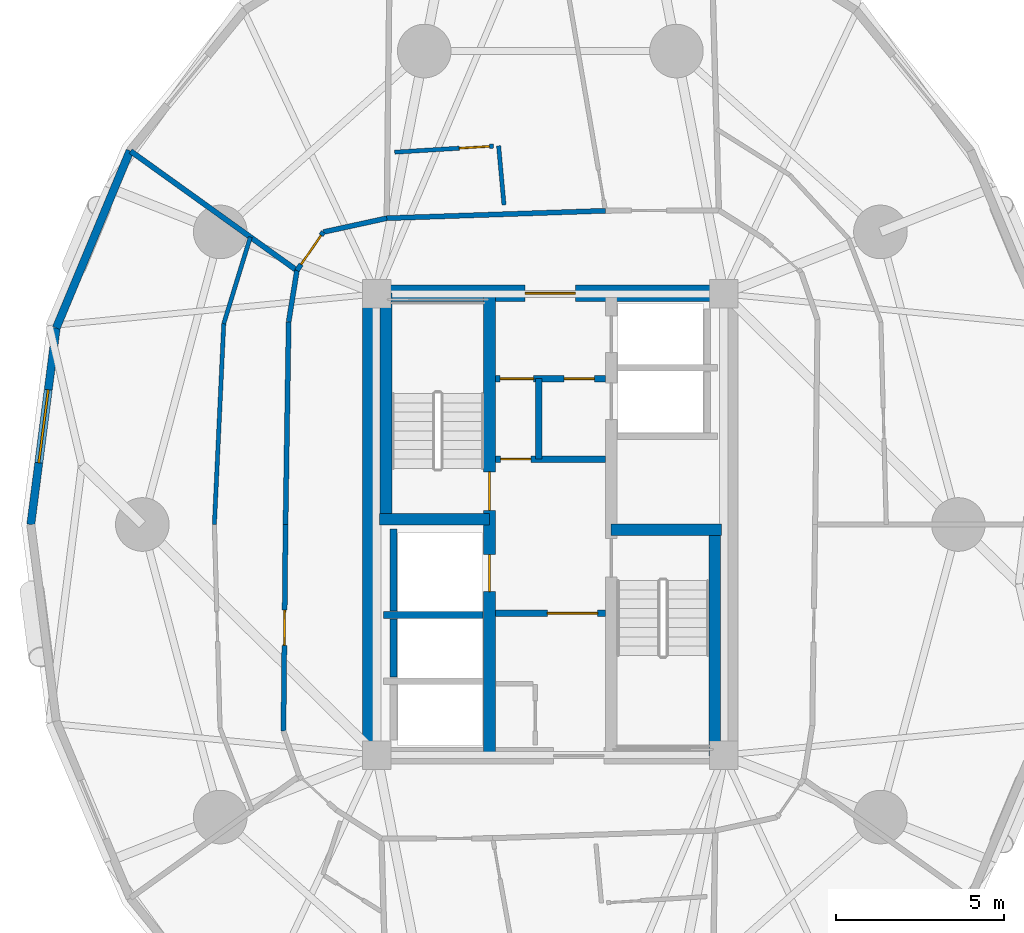
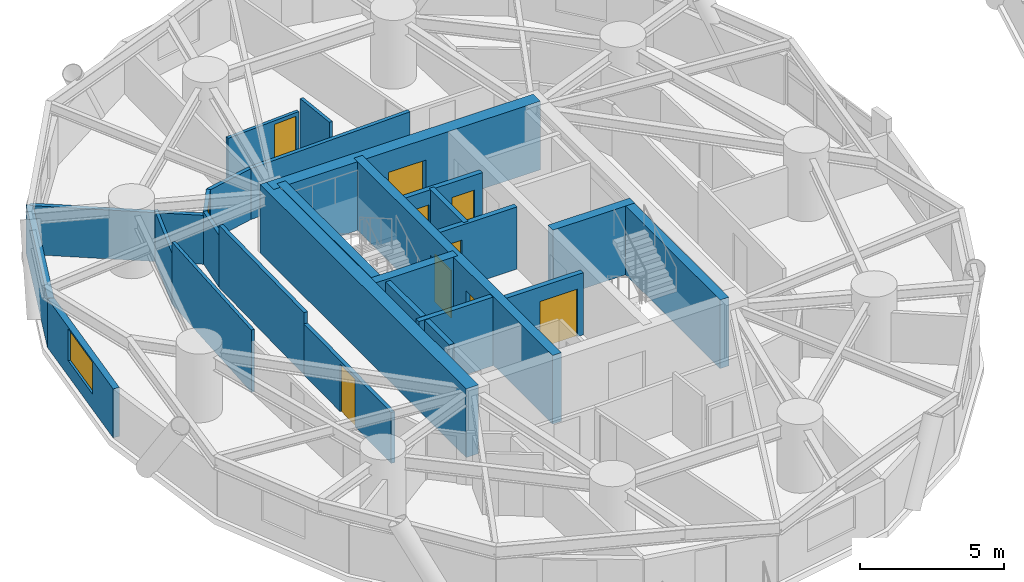
# One storey, part 10 of 19: 27 walls, 10 doors, 1 window, 11 openings.
"""IFC4 building model written with IfcOpenShell, lengths in metres."""

from ifc_helpers import new_model, si_unit, direction, frame, frame_2d, origin, place, context, subcontext, project, spatial, rectangle, extrude, source, transform, mapped, material, layer, layer_set, type_object, element, fill, save


model = new_model("IFC4")

# Units and contexts
model_context = context("Model", 3, precision=1e-05, world=origin(), true_north=direction((0.0, 1.0)))
body_context = subcontext(model_context, "Body", "Model", "MODEL_VIEW")
ifc_project = project(units=[si_unit("LENGTHUNIT", "METRE"), si_unit("AREAUNIT", "SQUARE_METRE"), si_unit("VOLUMEUNIT", "CUBIC_METRE"), si_unit("PLANEANGLEUNIT", "RADIAN"), si_unit("MASSUNIT", "GRAM", prefix="KILO")], contexts=[model_context])

# Site, building, storey
site_placement = place(None, origin())
site = spatial("IfcSite", under=ifc_project, at=site_placement, CompositionType="ELEMENT")
building_placement = place(site_placement, origin())
building = spatial("IfcBuilding", under=site, at=building_placement, Name="Cununo Teusaquillo Station Towers", CompositionType="ELEMENT")
storey_placement = place(building_placement, frame((0.0, 0.0, 42.3701171875)))
storey = spatial("IfcBuildingStorey", under=building, at=storey_placement, Name="L12", CompositionType="ELEMENT", Elevation=42.3701171875)

# Walls
ifc_material_1 = material(Name="Concrete C50/60", Category="concrete")
ifc_layer_1 = layer(ifc_material_1, 0.199951171875)
ifc_layer_set_1 = layer_set([ifc_layer_1], Name="Concrete C50/60")
wall_type_1 = type_object("IfcWallType", Name="WL-CORE-200", PredefinedType="SHEAR", material=ifc_layer_set_1)
wall_1_placement = place(storey_placement, frame((11.52001953125, 21.800048828125, 0.0), z_axis=(0.0, 0.0, 1.0), x_axis=(1.0, 0.0, 0.0)))
element("IfcWall", 1, at=wall_1_placement, inside=storey, type_object=wall_type_1, Name="L12 Tower A Firefighting Lift Shaft South Shear Wall", PredefinedType="SHEAR", context=body_context, shape_type="SweptSolid", body=[
    extrude(rectangle(XDim=2.969970703125, YDim=0.199951171875, at=frame_2d((1.48486328125, 0.0))), origin(), (0.0, 0.0, 1.0), 2.909912109375),
])
wall_2_placement = place(storey_placement, frame((11.820068359375, 21.919921875, 0.0), z_axis=(0.0, 0.0, 1.0), x_axis=(0.0, 1.0, 0.0)))
element("IfcWall", 2, at=wall_2_placement, inside=storey, type_object=wall_type_1, Name="L12 Tower A Firefighting Lift Shaft Rear Shear Wall", PredefinedType="SHEAR", context=body_context, shape_type="SweptSolid", body=[
    extrude(rectangle(XDim=2.440185546875, YDim=0.199951171875, at=frame_2d((1.22021484375, 0.0))), origin(), (0.0, 0.0, 1.0), 2.909912109375),
])
wall_3_placement = place(storey_placement, frame((11.820068359375, 19.945068359375, 0.0), z_axis=(0.0, 0.0, 1.0), x_axis=(0.0, 1.0, 0.0)))
element("IfcWall", 3, at=wall_3_placement, inside=storey, type_object=wall_type_1, Name="L12 Tower A High-Rise Lift 2 Shaft Rear Shear Wall", PredefinedType="SHEAR", context=body_context, shape_type="SweptSolid", body=[
    extrude(rectangle(XDim=1.73486328125, YDim=0.199951171875, at=frame_2d((0.867431640625, 0.0))), origin(), (0.0, 0.0, 1.0), 2.909912109375),
])

# Wall, openings, doors
ifc_material_2 = material(Name="Concrete C50/60", Category="concrete")
ifc_layer_2 = layer(ifc_material_2, 0.35009765625)
ifc_layer_set_2 = layer_set([ifc_layer_2], Name="Concrete C50/60")
wall_type_2 = type_object("IfcWallType", Name="WL-CORE-350", PredefinedType="SHEAR", material=ifc_layer_set_2)
wall_4_placement = place(storey_placement, frame((14.68505859375, 17.60009765625, 0.0), z_axis=(0.0, 0.0, 1.0), x_axis=(0.0, 1.0, 0.0)))
wall_4 = element("IfcWall", 4, at=wall_4_placement, inside=storey, type_object=wall_type_2, Name="L12 Tower A Core Shear Wall IW", PredefinedType="SHEAR", context=body_context, shape_type="SweptSolid", body=[
    extrude(rectangle(XDim=13.7998046875, YDim=0.35009765625, at=frame_2d((6.89990234375, 0.0))), origin(), (0.0, 0.0, 1.0), 2.909912109375),
])
shared_shape_1 = source(origin(), body_context, "Body", "SweptSolid", [
    extrude(rectangle(XDim=1.10009765625, YDim=2.014892578125, at=frame_2d((0.550048828125, 1.00732421875))), frame((0.0, 0.18505859375, 0.0), z_axis=(0.0, -1.0, 0.0), x_axis=(1.0, 0.0, 0.0)), (0.0, 0.0, 1.0), 0.3701171875),
])
opening_1_placement = place(wall_4_placement, frame((4.89990234375, 0.0, 0.0)))
opening_1 = element("IfcOpeningElement", 5, at=opening_1_placement, cuts=wall_4, Name="Opening LD-01", PredefinedType="OPENING", context=body_context, shape_type="MappedRepresentation", body=[
    mapped(shared_shape_1, transform((0.0, 0.0, 0.0), x_axis=(1.0, 0.0, 0.0), y_axis=(0.0, 1.0, 0.0), z_axis=(0.0, 0.0, 1.0), scale=1.0)),
])
shared_shape_2 = source(origin(), body_context, "Body", "SweptSolid", [
    extrude(rectangle(XDim=1.14990234375, YDim=2.02001953125, at=frame_2d((0.574951171875, 1.010009765625))), frame((0.0, 0.18505859375, 0.0), z_axis=(0.0, -1.0, 0.0), x_axis=(1.0, 0.0, 0.0)), (0.0, 0.0, 1.0), 0.3701171875),
])
opening_2_placement = place(wall_4_placement, frame((7.320068359375, 0.0, 0.0)))
opening_2 = element("IfcOpeningElement", 6, at=opening_2_placement, cuts=wall_4, Name="Opening D-ST1", PredefinedType="OPENING", context=body_context, shape_type="MappedRepresentation", body=[
    mapped(shared_shape_2, transform((0.0, 0.0, 0.0), x_axis=(1.0, 0.0, 0.0), y_axis=(0.0, 1.0, 0.0), z_axis=(0.0, 0.0, 1.0), scale=1.0)),
])
ifc_material_3 = material(Name="Galvanised fire-rated hollow steel door assembly", Category="steel")
door_type_1 = type_object("IfcDoorType", Name="DR-LIFT-1100", OperationType="SLIDING_TO_LEFT", PredefinedType="DOOR", material=ifc_material_3)
shared_shape_3 = source(origin(), body_context, "Body", "SweptSolid", [
    extrude(rectangle(XDim=1.10009765625, YDim=2.014892578125, at=frame_2d((0.550048828125, 1.00732421875))), frame((0.0, 0.02490234375, 0.0), z_axis=(0.0, -1.0, 0.0), x_axis=(1.0, 0.0, 0.0)), (0.0, 0.0, 1.0), 0.050048828125),
])
door_1_placement = place(opening_1_placement, origin())
door_1 = element("IfcDoor", 7, at=door_1_placement, inside=storey, type_object=door_type_1, Name="L12 Lift FL-T1 Sliding Landing Door", OperationType="SLIDING_TO_LEFT", OverallHeight=2.014892578125, OverallWidth=1.10009765625, PredefinedType="DOOR", context=body_context, shape_type="MappedRepresentation", body=[
    mapped(shared_shape_3, transform((0.0, 0.0, 0.0), x_axis=(1.0, 0.0, 0.0), y_axis=(0.0, 1.0, 0.0), z_axis=(0.0, 0.0, 1.0), scale=1.0)),
])
fill(opening_1, door_1)
ifc_material_4 = material(Name="Galvanised fire-rated hollow steel door assembly", Category="steel")
door_type_2 = type_object("IfcDoorType", Name="DR-STAIR-1150", OperationType="NOTDEFINED", PredefinedType="DOOR", material=ifc_material_4)
shared_shape_4 = source(origin(), body_context, "Body", "SweptSolid", [
    extrude(rectangle(XDim=1.14990234375, YDim=2.02001953125, at=frame_2d((0.574951171875, 1.010009765625))), frame((0.0, 0.02490234375, 0.0), z_axis=(0.0, -1.0, 0.0), x_axis=(1.0, 0.0, 0.0)), (0.0, 0.0, 1.0), 0.050048828125),
])
door_2_placement = place(opening_2_placement, origin())
door_2 = element("IfcDoor", 8, at=door_2_placement, inside=storey, type_object=door_type_2, Name="L12 Tower A Exit Stair 1 Fire Door", OperationType="SINGLE_SWING_LEFT", OverallHeight=2.02001953125, OverallWidth=1.14990234375, PredefinedType="DOOR", context=body_context, shape_type="MappedRepresentation", body=[
    mapped(shared_shape_4, transform((0.0, 0.0, 0.0), x_axis=(1.0, 0.0, 0.0), y_axis=(0.0, 1.0, 0.0), z_axis=(0.0, 0.0, 1.0), scale=1.0)),
])
fill(opening_2, door_2)

# Walls
wall_5_placement = place(storey_placement, frame((11.594970703125, 24.655029296875, 0.0), z_axis=(0.0, 0.0, 1.0), x_axis=(0.0, 1.0, 0.0)))
element("IfcWall", 9, at=wall_5_placement, inside=storey, type_object=wall_type_2, Name="L12 Tower A Core Shear Wall ST1W", PredefinedType="SHEAR", context=body_context, shape_type="SweptSolid", body=[
    extrude(rectangle(XDim=6.744873046875, YDim=0.35009765625, at=frame_2d((3.37255859375, 0.0))), origin(), (0.0, 0.0, 1.0), 2.909912109375),
])
wall_6_placement = place(storey_placement, frame((11.39990234375, 24.655029296875, 0.0), z_axis=(0.0, 0.0, 1.0), x_axis=(1.0, 0.0, 0.0)))
element("IfcWall", 10, at=wall_6_placement, inside=storey, type_object=wall_type_2, Name="L12 Tower A Core Shear Wall ST1S", PredefinedType="SHEAR", context=body_context, shape_type="SweptSolid", body=[
    extrude(rectangle(XDim=3.28515625, YDim=0.35009765625, at=frame_2d((1.642578125, 0.0))), origin(), (0.0, 0.0, 1.0), 2.909912109375),
])
wall_7_placement = place(storey_placement, frame((21.405029296875, 17.60009765625, 0.0), z_axis=(0.0, 0.0, 1.0), x_axis=(0.0, 1.0, 0.0)))
element("IfcWall", 11, at=wall_7_placement, inside=storey, type_object=wall_type_2, Name="L12 Tower A Core Shear Wall ST2E", PredefinedType="SHEAR", context=body_context, shape_type="SweptSolid", body=[
    extrude(rectangle(XDim=6.744873046875, YDim=0.35009765625, at=frame_2d((3.37255859375, 0.0))), origin(), (0.0, 0.0, 1.0), 2.909912109375),
])
wall_8_placement = place(storey_placement, frame((18.31494140625, 24.344970703125, 0.0), z_axis=(0.0, 0.0, 1.0), x_axis=(1.0, 0.0, 0.0)))
element("IfcWall", 12, at=wall_8_placement, inside=storey, type_object=wall_type_2, Name="L12 Tower A Core Shear Wall ST2N", PredefinedType="SHEAR", context=body_context, shape_type="SweptSolid", body=[
    extrude(rectangle(XDim=3.28515625, YDim=0.35009765625, at=frame_2d((1.642578125, 0.0))), origin(), (0.0, 0.0, 1.0), 2.909912109375),
])
ifc_material_5 = material(Name="Concrete C60/75", Category="concrete")
ifc_layer_3 = layer(ifc_material_5, 0.5)
ifc_layer_set_3 = layer_set([ifc_layer_3], Name="Concrete C60/75")
wall_type_3 = type_object("IfcWallType", Name="WL-CORE-500", PredefinedType="SHEAR", material=ifc_layer_set_3)
wall_9_placement = place(storey_placement, frame((11.14990234375, 17.35009765625, 0.0), z_axis=(0.0, 0.0, 1.0), x_axis=(0.0, 1.0, 0.0)))
element("IfcWall", 13, at=wall_9_placement, inside=storey, type_object=wall_type_3, Name="L12 Tower A Core Shear Wall W", PredefinedType="SHEAR", context=body_context, shape_type="SweptSolid", body=[
    extrude(rectangle(XDim=14.2998046875, YDim=0.5, at=frame_2d((7.14990234375, 0.0))), origin(), (0.0, 0.0, 1.0), 2.909912109375),
])

# Wall, opening, door
wall_10_placement = place(storey_placement, frame((11.14990234375, 31.39990234375, 0.0), z_axis=(0.0, 0.0, 1.0), x_axis=(1.0, 0.0, 0.0)))
wall_10 = element("IfcWall", 14, at=wall_10_placement, inside=storey, type_object=wall_type_3, Name="L12 Tower A Core Shear Wall N", PredefinedType="SHEAR", context=body_context, shape_type="SweptSolid", body=[
    extrude(rectangle(XDim=10.7001953125, YDim=0.5, at=frame_2d((5.35009765625, 0.0))), origin(), (0.0, 0.0, 1.0), 2.909912109375),
])
shared_shape_5 = source(origin(), body_context, "Body", "SweptSolid", [
    extrude(rectangle(XDim=1.5, YDim=2.02001953125, at=frame_2d((0.75, 1.010009765625))), frame((0.0, 0.260009765625, 0.0), z_axis=(0.0, -1.0, 0.0), x_axis=(1.0, 0.0, 0.0)), (0.0, 0.0, 1.0), 0.52001953125),
])
opening_3_placement = place(wall_10_placement, frame((4.60009765625, 0.0, 0.0)))
opening_3 = element("IfcOpeningElement", 15, at=opening_3_placement, cuts=wall_10, Name="Opening D-LB1", PredefinedType="OPENING", context=body_context, shape_type="MappedRepresentation", body=[
    mapped(shared_shape_5, transform((0.0, 0.0, 0.0), x_axis=(1.0, 0.0, 0.0), y_axis=(0.0, 1.0, 0.0), z_axis=(0.0, 0.0, 1.0), scale=1.0)),
])
ifc_material_6 = material(Name="Galvanised fire-rated hollow steel door assembly", Category="steel")
door_type_3 = type_object("IfcDoorType", Name="DR-LOBBY-1500", OperationType="DOUBLE_DOOR_SINGLE_SWING", PredefinedType="DOOR", material=ifc_material_6)
shared_shape_6 = source(origin(), body_context, "Body", "SweptSolid", [
    extrude(rectangle(XDim=1.5, YDim=2.02001953125, at=frame_2d((0.75, 1.010009765625))), frame((0.0, 0.02490234375, 0.0), z_axis=(0.0, -1.0, 0.0), x_axis=(1.0, 0.0, 0.0)), (0.0, 0.0, 1.0), 0.050048828125),
])
door_3_placement = place(opening_3_placement, origin())
door_3 = element("IfcDoor", 16, at=door_3_placement, inside=storey, type_object=door_type_3, Name="L12 Tower A North Core Lift Lobby Door", OperationType="DOUBLE_DOOR_SINGLE_SWING", OverallHeight=2.02001953125, OverallWidth=1.5, PredefinedType="DOOR", context=body_context, shape_type="MappedRepresentation", body=[
    mapped(shared_shape_6, transform((0.0, 0.0, 0.0), x_axis=(1.0, 0.0, 0.0), y_axis=(0.0, 1.0, 0.0), z_axis=(0.0, 0.0, 1.0), scale=1.0)),
])
fill(opening_3, door_3)

# Wall
ifc_material_7 = material(Name="Precast concrete C40/50", Category="concrete")
ifc_layer_4 = layer(ifc_material_7, 0.239990234375)
ifc_layer_set_4 = layer_set([ifc_layer_4], Name="Precast concrete C40/50")
wall_type_4 = type_object("IfcWallType", Name="WL-EXT-240", PredefinedType="SOLIDWALL", material=ifc_layer_set_4)
wall_11_placement = place(storey_placement, frame((1.759521484375, 30.362060546875, 0.0), z_axis=(0.0, 0.0, 1.0), x_axis=(0.38430970593, 0.923204229804, 0.0)))
element("IfcWall", 17, at=wall_11_placement, inside=storey, type_object=wall_type_4, Name="L12 Tower A Exterior Facade Wall C08", PredefinedType="SOLIDWALL", context=body_context, shape_type="SweptSolid", body=[
    extrude(rectangle(XDim=5.728271484375, YDim=0.239990234375, at=frame_2d((2.8642578125, 0.0))), origin(), (0.0, 0.0, 1.0), 2.072998046875),
])

# Wall, opening, window
wall_12_placement = place(storey_placement, frame((1.0009765625, 24.5, 0.0), z_axis=(0.0, 0.0, 1.0), x_axis=(0.128329107357, 0.991731637191, 0.0)))
wall_12 = element("IfcWall", 18, at=wall_12_placement, inside=storey, type_object=wall_type_4, Name="L12 Tower A Exterior Facade Wall C09", PredefinedType="SOLIDWALL", context=body_context, shape_type="SweptSolid", body=[
    extrude(rectangle(XDim=5.910888671875, YDim=0.239990234375, at=frame_2d((2.95556640625, 0.0))), origin(), (0.0, 0.0, 1.0), 2.072998046875),
])
shared_shape_7 = source(origin(), body_context, "Body", "SweptSolid", [
    extrude(rectangle(XDim=2.199951171875, YDim=1.35009765625, at=frame_2d((1.10009765625, 0.675048828125))), frame((0.0, 0.1298828125, 0.0), z_axis=(0.0, -1.0, 0.0), x_axis=(1.0, 0.0, 0.0)), (0.0, 0.0, 1.0), 0.260009765625),
])
opening_4_placement = place(wall_12_placement, frame((1.85498046875, 0.0, 0.64990234375)))
opening_4 = element("IfcOpeningElement", 19, at=opening_4_placement, cuts=wall_12, Name="Opening WN-01", PredefinedType="OPENING", context=body_context, shape_type="MappedRepresentation", body=[
    mapped(shared_shape_7, transform((0.0, 0.0, 0.0), x_axis=(1.0, 0.0, 0.0), y_axis=(0.0, 1.0, 0.0), z_axis=(0.0, 0.0, 1.0), scale=1.0)),
])
ifc_material_8 = material(Name="Ceramic-fritted dark low-E double glazing", Category="glass")
window_type = type_object("IfcWindowType", Name="WIN-FRIT-2200", PartitioningType="DOUBLE_PANEL_VERTICAL", PredefinedType="WINDOW", material=ifc_material_8)
shared_shape_8 = source(origin(), body_context, "Body", "SweptSolid", [
    extrude(rectangle(XDim=2.199951171875, YDim=1.35009765625, at=frame_2d((1.10009765625, 0.675048828125))), frame((0.0, 0.030029296875, 0.0), z_axis=(0.0, -1.0, 0.0), x_axis=(1.0, 0.0, 0.0)), (0.0, 0.0, 1.0), 0.06005859375),
])
window_placement = place(opening_4_placement, origin())
window = element("IfcWindow", 20, at=window_placement, inside=storey, type_object=window_type, Name="L12 Tower A Facade Window C09", OverallHeight=1.35009765625, OverallWidth=2.199951171875, PartitioningType="DOUBLE_PANEL_VERTICAL", PredefinedType="WINDOW", context=body_context, shape_type="MappedRepresentation", body=[
    mapped(shared_shape_8, transform((0.0, 0.0, 0.0), x_axis=(1.0, 0.0, 0.0), y_axis=(0.0, 1.0, 0.0), z_axis=(0.0, 0.0, 1.0), scale=1.0)),
])
fill(opening_4, window)

# Wall
ifc_material_9 = material(Name="Fire-rated gypsum plasterboard partition assembly", Category="gypsum")
ifc_layer_5 = layer(ifc_material_9, 0.125)
ifc_layer_set_5 = layer_set([ifc_layer_5], Name="Fire-rated gypsum plasterboard partition assembly")
wall_type_5 = type_object("IfcWallType", Name="WL-PART-125", PredefinedType="PARTITIONING", material=ifc_layer_set_5)
wall_13_placement = place(storey_placement, frame((15.116943359375, 34.03515625, 0.0), z_axis=(0.0, 0.0, 1.0), x_axis=(-0.090498430303, 0.995896598103, 0.0)))
element("IfcWall", 21, at=wall_13_placement, inside=storey, type_object=wall_type_5, Name="L12 Tower A S02 En-suite Side Wall", PredefinedType="PARTITIONING", context=body_context, shape_type="SweptSolid", body=[
    extrude(rectangle(XDim=1.769775390625, YDim=0.125, at=frame_2d((0.884765625, 0.0))), origin(), (0.0, 0.0, 1.0), 2.634765625),
])

# Wall, opening, door
wall_14_placement = place(storey_placement, frame((14.80322265625, 35.7880859375, 0.0), z_axis=(0.0, 0.0, 1.0), x_axis=(-0.998116078946, -0.06135383403, 0.0)))
wall_14 = element("IfcWall", 22, at=wall_14_placement, inside=storey, type_object=wall_type_5, Name="L12 Tower A S02 En-suite Back Wall", PredefinedType="PARTITIONING", context=body_context, shape_type="SweptSolid", body=[
    extrude(rectangle(XDim=2.95263671875, YDim=0.125, at=frame_2d((1.476318359375, 0.0))), origin(), (0.0, 0.0, 1.0), 2.158935546875),
])
shared_shape_9 = source(origin(), body_context, "Body", "SweptSolid", [
    extrude(rectangle(XDim=0.89990234375, YDim=2.0048828125, at=frame_2d((0.449951171875, 1.00244140625))), frame((0.0, 0.072509765625, 0.0), z_axis=(0.0, -1.0, 0.0), x_axis=(1.0, 0.0, 0.0)), (0.0, 0.0, 1.0), 0.14501953125),
])
opening_5_placement = place(wall_14_placement, frame((0.1201171875, 0.0, 0.0)))
opening_5 = element("IfcOpeningElement", 23, at=opening_5_placement, cuts=wall_14, Name="Opening D-IN1", PredefinedType="OPENING", context=body_context, shape_type="MappedRepresentation", body=[
    mapped(shared_shape_9, transform((0.0, 0.0, 0.0), x_axis=(1.0, 0.0, 0.0), y_axis=(0.0, 1.0, 0.0), z_axis=(0.0, 0.0, 1.0), scale=1.0)),
])
ifc_material_10 = material(Name="Acoustic solid-core hardwood leaf assembly", Category="wood")
door_type_4 = type_object("IfcDoorType", Name="DR-INT-900", OperationType="NOTDEFINED", PredefinedType="DOOR", material=ifc_material_10)
shared_shape_10 = source(origin(), body_context, "Body", "SweptSolid", [
    extrude(rectangle(XDim=0.89990234375, YDim=2.0048828125, at=frame_2d((0.449951171875, 1.00244140625))), frame((0.0, 0.02490234375, 0.0), z_axis=(0.0, -1.0, 0.0), x_axis=(1.0, 0.0, 0.0)), (0.0, 0.0, 1.0), 0.050048828125),
])
door_4_placement = place(opening_5_placement, origin())
door_4 = element("IfcDoor", 24, at=door_4_placement, inside=storey, type_object=door_type_4, Name="L12 Tower A S02 En-suite Bathroom Door", OperationType="SINGLE_SWING_LEFT", OverallHeight=2.0048828125, OverallWidth=0.89990234375, PredefinedType="DOOR", context=body_context, shape_type="MappedRepresentation", body=[
    mapped(shared_shape_10, transform((0.0, 0.0, 0.0), x_axis=(1.0, 0.0, 0.0), y_axis=(0.0, 1.0, 0.0), z_axis=(0.0, 0.0, 1.0), scale=1.0)),
])
fill(opening_5, door_4)

# Walls
wall_15_placement = place(storey_placement, frame((7.55029296875, 33.0751953125, 0.0), z_axis=(0.0, 0.0, 1.0), x_axis=(-0.29356532185, -0.955939015736, 0.0)))
element("IfcWall", 25, at=wall_15_placement, inside=storey, type_object=wall_type_5, Name="L12 Tower A Hotel Hydrotherapy Wellness Spa Concentric Partition Wall C08", PredefinedType="PARTITIONING", context=body_context, shape_type="SweptSolid", body=[
    extrude(rectangle(XDim=2.702880859375, YDim=0.125, at=frame_2d((1.3515625, 0.0))), origin(), (0.0, 0.0, 1.0), 2.158935546875),
])
wall_16_placement = place(storey_placement, frame((6.7568359375, 30.491455078125, 0.0), z_axis=(0.0, 0.0, 1.0), x_axis=(-0.046524684881, -0.998917140556, 0.0)))
element("IfcWall", 26, at=wall_16_placement, inside=storey, type_object=wall_type_5, Name="L12 Tower A Hotel Hydrotherapy Wellness Spa Concentric Partition Wall C09", PredefinedType="PARTITIONING", context=body_context, shape_type="SweptSolid", body=[
    extrude(rectangle(XDim=5.998046875, YDim=0.125, at=frame_2d((2.9990234375, 0.0))), origin(), (0.0, 0.0, 1.0), 2.634765625),
])
ifc_material_11 = material(Name="Fire-rated gypsum plasterboard partition assembly", Category="gypsum")
ifc_layer_6 = layer(ifc_material_11, 0.14990234375)
ifc_layer_set_6 = layer_set([ifc_layer_6], Name="Fire-rated gypsum plasterboard partition assembly")
wall_type_6 = type_object("IfcWallType", Name="WL-PART-150", PredefinedType="PARTITIONING", material=ifc_layer_set_6)
wall_17_placement = place(storey_placement, frame((18.142822265625, 33.859619140625, 0.0), z_axis=(0.0, 0.0, 1.0), x_axis=(-0.999419208319, -0.034077060363, 0.0)))
element("IfcWall", 27, at=wall_17_placement, inside=storey, type_object=wall_type_6, Name="L12 Tower A Corridor Ring Wall C05", PredefinedType="PARTITIONING", context=body_context, shape_type="SweptSolid", body=[
    extrude(rectangle(XDim=6.52685546875, YDim=0.14990234375, at=frame_2d((3.263427734375, 0.0))), origin(), (0.0, 0.0, 1.0), 2.158935546875),
])
wall_18_placement = place(storey_placement, frame((11.619873046875, 33.63720703125, 0.0), z_axis=(0.0, 0.0, 1.0), x_axis=(-0.97702579435, -0.213121085711, 0.0)))
element("IfcWall", 28, at=wall_18_placement, inside=storey, type_object=wall_type_6, Name="L12 Tower A Corridor Ring Wall C06", PredefinedType="PARTITIONING", context=body_context, shape_type="SweptSolid", body=[
    extrude(rectangle(XDim=1.934814453125, YDim=0.14990234375, at=frame_2d((0.96728515625, 0.0))), origin(), (0.0, 0.0, 1.0), 2.158935546875),
])

# Wall, opening, door
wall_19_placement = place(storey_placement, frame((9.7294921875, 33.224853515625, 0.0), z_axis=(0.0, 0.0, 1.0), x_axis=(-0.567183649484, -0.82359134755, 0.0)))
wall_19 = element("IfcWall", 29, at=wall_19_placement, inside=storey, type_object=wall_type_6, Name="L12 Tower A Corridor Ring Wall C07", PredefinedType="PARTITIONING", context=body_context, shape_type="SweptSolid", body=[
    extrude(rectangle(XDim=1.39208984375, YDim=0.14990234375, at=frame_2d((0.696044921875, 0.0))), origin(), (0.0, 0.0, 1.0), 2.158935546875),
])
shared_shape_11 = source(origin(), body_context, "Body", "SweptSolid", [
    extrude(rectangle(XDim=1.050048828125, YDim=2.014892578125, at=frame_2d((0.52490234375, 1.00732421875))), frame((0.0, 0.0849609375, 0.0), z_axis=(0.0, -1.0, 0.0), x_axis=(1.0, 0.0, 0.0)), (0.0, 0.0, 1.0), 0.169921875),
])
opening_6_placement = place(wall_19_placement, frame((0.1201171875, 0.0, 0.0)))
opening_6 = element("IfcOpeningElement", 30, at=opening_6_placement, cuts=wall_19, Name="Opening D-SU1", PredefinedType="OPENING", context=body_context, shape_type="MappedRepresentation", body=[
    mapped(shared_shape_11, transform((0.0, 0.0, 0.0), x_axis=(1.0, 0.0, 0.0), y_axis=(0.0, 1.0, 0.0), z_axis=(0.0, 0.0, 1.0), scale=1.0)),
])
ifc_material_12 = material(Name="Acoustic solid-core hardwood leaf assembly", Category="wood")
door_type_5 = type_object("IfcDoorType", Name="DR-SUITE-1050", OperationType="NOTDEFINED", PredefinedType="DOOR", material=ifc_material_12)
shared_shape_12 = source(origin(), body_context, "Body", "SweptSolid", [
    extrude(rectangle(XDim=1.050048828125, YDim=2.014892578125, at=frame_2d((0.52490234375, 1.00732421875))), frame((0.0, 0.02490234375, 0.0), z_axis=(0.0, -1.0, 0.0), x_axis=(1.0, 0.0, 0.0)), (0.0, 0.0, 1.0), 0.050048828125),
])
door_5_placement = place(opening_6_placement, origin())
door_5 = element("IfcDoor", 31, at=door_5_placement, inside=storey, type_object=door_type_5, Name="L12 Tower A Hotel Boardroom Salon Entrance Door", OperationType="SINGLE_SWING_RIGHT", OverallHeight=2.014892578125, OverallWidth=1.050048828125, PredefinedType="DOOR", context=body_context, shape_type="MappedRepresentation", body=[
    mapped(shared_shape_12, transform((0.0, 0.0, 0.0), x_axis=(1.0, 0.0, 0.0), y_axis=(0.0, 1.0, 0.0), z_axis=(0.0, 0.0, 1.0), scale=1.0)),
])
fill(opening_6, door_5)

# Walls
wall_20_placement = place(storey_placement, frame((8.93994140625, 32.078369140625, 0.0), z_axis=(0.0, 0.0, 1.0), x_axis=(-0.159148467753, -0.98725466077, 0.0)))
element("IfcWall", 32, at=wall_20_placement, inside=storey, type_object=wall_type_6, Name="L12 Tower A Corridor Ring Wall C08", PredefinedType="PARTITIONING", context=body_context, shape_type="SweptSolid", body=[
    extrude(rectangle(XDim=1.553955078125, YDim=0.14990234375, at=frame_2d((0.77685546875, 0.0))), origin(), (0.0, 0.0, 1.0), 2.204833984375),
])
wall_21_placement = place(storey_placement, frame((8.692626953125, 30.544189453125, 0.0), z_axis=(0.0, 0.0, 1.0), x_axis=(-0.015307007986, -0.99988284089, 0.0)))
element("IfcWall", 33, at=wall_21_placement, inside=storey, type_object=wall_type_6, Name="L12 Tower A Corridor Ring Wall C09", PredefinedType="PARTITIONING", context=body_context, shape_type="SweptSolid", body=[
    extrude(rectangle(XDim=6.044921875, YDim=0.14990234375, at=frame_2d((3.0224609375, 0.0))), origin(), (0.0, 0.0, 1.0), 2.634765625),
])

# Wall, opening, door
wall_22_placement = place(storey_placement, frame((8.60009765625, 24.5, 0.0), z_axis=(0.0, 0.0, 1.0), x_axis=(-0.010023665349, -0.999949761805, 0.0)))
wall_22 = element("IfcWall", 34, at=wall_22_placement, inside=storey, type_object=wall_type_6, Name="L12 Tower A Corridor Ring Wall C10", PredefinedType="PARTITIONING", context=body_context, shape_type="SweptSolid", body=[
    extrude(rectangle(XDim=6.162109375, YDim=0.14990234375, at=frame_2d((3.0810546875, 0.0))), origin(), (0.0, 0.0, 1.0), 2.158935546875),
])
opening_7_placement = place(wall_22_placement, frame((2.55615234375, 0.0, 0.0)))
opening_7 = element("IfcOpeningElement", 35, at=opening_7_placement, cuts=wall_22, Name="Opening D-SU1", PredefinedType="OPENING", context=body_context, shape_type="MappedRepresentation", body=[
    mapped(shared_shape_11, transform((0.0, 0.0, 0.0), x_axis=(1.0, 0.0, 0.0), y_axis=(0.0, 1.0, 0.0), z_axis=(0.0, 0.0, 1.0), scale=1.0)),
])
door_6_placement = place(opening_7_placement, origin())
door_6 = element("IfcDoor", 36, at=door_6_placement, inside=storey, type_object=door_type_5, Name="L12 Tower A Hotel Hydrotherapy Wellness Spa Entrance Door", OperationType="SINGLE_SWING_LEFT", OverallHeight=2.014892578125, OverallWidth=1.050048828125, PredefinedType="DOOR", context=body_context, shape_type="MappedRepresentation", body=[
    mapped(shared_shape_12, transform((0.0, 0.0, 0.0), x_axis=(1.0, 0.0, 0.0), y_axis=(0.0, 1.0, 0.0), z_axis=(0.0, 0.0, 1.0), scale=1.0)),
])
fill(opening_7, door_6)

# Wall
ifc_material_13 = material(Name="Fire-rated gypsum plasterboard partition assembly", Category="gypsum")
ifc_layer_7 = layer(ifc_material_13, 0.159912109375)
ifc_layer_set_7 = layer_set([ifc_layer_7], Name="Fire-rated gypsum plasterboard partition assembly")
wall_type_7 = type_object("IfcWallType", Name="WL-PART-160", PredefinedType="PARTITIONING", material=ifc_layer_set_7)
wall_23_placement = place(storey_placement, frame((8.93994140625, 32.078369140625, 0.0), z_axis=(0.0, 0.0, 1.0), x_axis=(-0.812546070691, 0.582896974606, 0.0)))
element("IfcWall", 37, at=wall_23_placement, inside=storey, type_object=wall_type_7, Name="L12 Tower A Radial Suite Partition R04", PredefinedType="PARTITIONING", context=body_context, shape_type="SweptSolid", body=[
    extrude(rectangle(XDim=6.107421875, YDim=0.159912109375, at=frame_2d((3.0537109375, 0.0))), origin(), (0.0, 0.0, 1.0), 2.072998046875),
])

# Wall, opening, door
ifc_material_14 = material(Name="Fire-rated gypsum plasterboard partition assembly", Category="gypsum")
ifc_layer_8 = layer(ifc_material_14, 0.199951171875)
ifc_layer_set_8 = layer_set([ifc_layer_8], Name="Fire-rated gypsum plasterboard partition assembly")
wall_type_8 = type_object("IfcWallType", Name="WL-PART-200", PredefinedType="PARTITIONING", material=ifc_layer_set_8)
wall_24_placement = place(storey_placement, frame((14.860107421875, 21.85009765625, 0.0), z_axis=(0.0, 0.0, 1.0), x_axis=(1.0, 0.0, 0.0)))
wall_24 = element("IfcWall", 38, at=wall_24_placement, inside=storey, type_object=wall_type_8, Name="L12 Tower A Firefighting Lift Lobby South Fire Wall", PredefinedType="PARTITIONING", context=body_context, shape_type="SweptSolid", body=[
    extrude(rectangle(XDim=3.27978515625, YDim=0.199951171875, at=frame_2d((1.639892578125, 0.0))), origin(), (0.0, 0.0, 1.0), 2.634765625),
])
shared_shape_13 = source(origin(), body_context, "Body", "SweptSolid", [
    extrude(rectangle(XDim=1.5, YDim=2.02001953125, at=frame_2d((0.75, 1.010009765625))), frame((0.0, 0.10986328125, 0.0), z_axis=(0.0, -1.0, 0.0), x_axis=(1.0, 0.0, 0.0)), (0.0, 0.0, 1.0), 0.219970703125),
])
opening_8_placement = place(wall_24_placement, frame((1.550048828125, 0.0, 0.0)))
opening_8 = element("IfcOpeningElement", 39, at=opening_8_placement, cuts=wall_24, Name="Opening D-LB1", PredefinedType="OPENING", context=body_context, shape_type="MappedRepresentation", body=[
    mapped(shared_shape_13, transform((0.0, 0.0, 0.0), x_axis=(1.0, 0.0, 0.0), y_axis=(0.0, 1.0, 0.0), z_axis=(0.0, 0.0, 1.0), scale=1.0)),
])
door_7_placement = place(opening_8_placement, origin())
door_7 = element("IfcDoor", 40, at=door_7_placement, inside=storey, type_object=door_type_3, Name="L12 Tower A Firefighting Lift Lobby South Fire Door", OperationType="DOUBLE_DOOR_SINGLE_SWING", OverallHeight=2.02001953125, OverallWidth=1.5, PredefinedType="DOOR", context=body_context, shape_type="MappedRepresentation", body=[
    mapped(shared_shape_6, transform((0.0, 0.0, 0.0), x_axis=(1.0, 0.0, 0.0), y_axis=(0.0, 1.0, 0.0), z_axis=(0.0, 0.0, 1.0), scale=1.0)),
])
fill(opening_8, door_7)

wall_25_placement = place(storey_placement, frame((14.860107421875, 26.449951171875, 0.0), z_axis=(0.0, 0.0, 1.0), x_axis=(1.0, 0.0, 0.0)))
wall_25 = element("IfcWall", 41, at=wall_25_placement, inside=storey, type_object=wall_type_8, Name="L12 Tower A Firefighting Lift Lobby North Fire Wall", PredefinedType="PARTITIONING", context=body_context, shape_type="SweptSolid", body=[
    extrude(rectangle(XDim=3.27978515625, YDim=0.199951171875, at=frame_2d((1.639892578125, 0.0))), origin(), (0.0, 0.0, 1.0), 2.634765625),
])
shared_shape_14 = source(origin(), body_context, "Body", "SweptSolid", [
    extrude(rectangle(XDim=0.89990234375, YDim=2.0048828125, at=frame_2d((0.449951171875, 1.00244140625))), frame((0.0, 0.10986328125, 0.0), z_axis=(0.0, -1.0, 0.0), x_axis=(1.0, 0.0, 0.0)), (0.0, 0.0, 1.0), 0.219970703125),
])
opening_9_placement = place(wall_25_placement, frame((0.159912109375, 0.0, 0.0)))
opening_9 = element("IfcOpeningElement", 42, at=opening_9_placement, cuts=wall_25, Name="Opening D-SR1", PredefinedType="OPENING", context=body_context, shape_type="MappedRepresentation", body=[
    mapped(shared_shape_14, transform((0.0, 0.0, 0.0), x_axis=(1.0, 0.0, 0.0), y_axis=(0.0, 1.0, 0.0), z_axis=(0.0, 0.0, 1.0), scale=1.0)),
])
ifc_material_15 = material(Name="Galvanised fire-rated hollow steel door assembly", Category="steel")
door_type_6 = type_object("IfcDoorType", Name="DR-STORE-900", OperationType="NOTDEFINED", PredefinedType="DOOR", material=ifc_material_15)
door_8_placement = place(opening_9_placement, origin())
door_8 = element("IfcDoor", 43, at=door_8_placement, inside=storey, type_object=door_type_6, Name="L12 Tower A Stair 1 Protected Vestibule South Door", OperationType="SINGLE_SWING_LEFT", OverallHeight=2.0048828125, OverallWidth=0.89990234375, PredefinedType="DOOR", context=body_context, shape_type="MappedRepresentation", body=[
    mapped(shared_shape_10, transform((0.0, 0.0, 0.0), x_axis=(1.0, 0.0, 0.0), y_axis=(0.0, 1.0, 0.0), z_axis=(0.0, 0.0, 1.0), scale=1.0)),
])
fill(opening_9, door_8)

# Wall
wall_26_placement = place(storey_placement, frame((16.14990234375, 26.449951171875, 0.0), z_axis=(0.0, 0.0, 1.0), x_axis=(0.0, 1.0, 0.0)))
element("IfcWall", 44, at=wall_26_placement, inside=storey, type_object=wall_type_8, Name="L12 Tower A Stair 1 Vestibule Partition Wall", PredefinedType="PARTITIONING", context=body_context, shape_type="SweptSolid", body=[
    extrude(rectangle(XDim=2.400146484375, YDim=0.199951171875, at=frame_2d((1.2001953125, 0.0))), origin(), (0.0, 0.0, 1.0), 2.634765625),
])

# Wall, openings, doors
wall_27_placement = place(storey_placement, frame((14.860107421875, 28.85009765625, 0.0), z_axis=(0.0, 0.0, 1.0), x_axis=(1.0, 0.0, 0.0)))
wall_27 = element("IfcWall", 45, at=wall_27_placement, inside=storey, type_object=wall_type_8, Name="L12 Tower A North Lift Lobby South Fire Wall", PredefinedType="PARTITIONING", context=body_context, shape_type="SweptSolid", body=[
    extrude(rectangle(XDim=3.27978515625, YDim=0.199951171875, at=frame_2d((1.639892578125, 0.0))), origin(), (0.0, 0.0, 1.0), 2.634765625),
])
shared_shape_15 = source(origin(), body_context, "Body", "SweptSolid", [
    extrude(rectangle(XDim=1.0, YDim=2.014892578125, at=frame_2d((0.5, 1.00732421875))), frame((0.0, 0.10986328125, 0.0), z_axis=(0.0, -1.0, 0.0), x_axis=(1.0, 0.0, 0.0)), (0.0, 0.0, 1.0), 0.219970703125),
])
opening_10_placement = place(wall_27_placement, frame((0.139892578125, 0.0, 0.0)))
opening_10 = element("IfcOpeningElement", 46, at=opening_10_placement, cuts=wall_27, Name="Opening D-AC1", PredefinedType="OPENING", context=body_context, shape_type="MappedRepresentation", body=[
    mapped(shared_shape_15, transform((0.0, 0.0, 0.0), x_axis=(1.0, 0.0, 0.0), y_axis=(0.0, 1.0, 0.0), z_axis=(0.0, 0.0, 1.0), scale=1.0)),
])
opening_11_placement = place(wall_27_placement, frame((2.050048828125, 0.0, 0.0)))
opening_11 = element("IfcOpeningElement", 47, at=opening_11_placement, cuts=wall_27, Name="Opening D-SR1", PredefinedType="OPENING", context=body_context, shape_type="MappedRepresentation", body=[
    mapped(shared_shape_14, transform((0.0, 0.0, 0.0), x_axis=(1.0, 0.0, 0.0), y_axis=(0.0, 1.0, 0.0), z_axis=(0.0, 0.0, 1.0), scale=1.0)),
])
door_9_placement = place(opening_11_placement, origin())
door_9 = element("IfcDoor", 48, at=door_9_placement, inside=storey, type_object=door_type_6, Name="L12 Tower A Core Housekeeping & Linen Store Door", OperationType="SINGLE_SWING_RIGHT", OverallHeight=2.0048828125, OverallWidth=0.89990234375, PredefinedType="DOOR", context=body_context, shape_type="MappedRepresentation", body=[
    mapped(shared_shape_10, transform((0.0, 0.0, 0.0), x_axis=(1.0, 0.0, 0.0), y_axis=(0.0, 1.0, 0.0), z_axis=(0.0, 0.0, 1.0), scale=1.0)),
])
fill(opening_11, door_9)
ifc_material_16 = material(Name="Acoustic solid-core hardwood leaf assembly", Category="wood")
door_type_7 = type_object("IfcDoorType", Name="DR-ACC-1000", OperationType="NOTDEFINED", PredefinedType="DOOR", material=ifc_material_16)
shared_shape_16 = source(origin(), body_context, "Body", "SweptSolid", [
    extrude(rectangle(XDim=1.0, YDim=2.014892578125, at=frame_2d((0.5, 1.00732421875))), frame((0.0, 0.02490234375, 0.0), z_axis=(0.0, -1.0, 0.0), x_axis=(1.0, 0.0, 0.0)), (0.0, 0.0, 1.0), 0.050048828125),
])
door_10_placement = place(opening_10_placement, origin())
door_10 = element("IfcDoor", 49, at=door_10_placement, inside=storey, type_object=door_type_7, Name="L12 Tower A North Lift Lobby to Stair 1 Vestibule Door", OperationType="SINGLE_SWING_RIGHT", OverallHeight=2.014892578125, OverallWidth=1.0, PredefinedType="DOOR", context=body_context, shape_type="MappedRepresentation", body=[
    mapped(shared_shape_16, transform((0.0, 0.0, 0.0), x_axis=(1.0, 0.0, 0.0), y_axis=(0.0, 1.0, 0.0), z_axis=(0.0, 0.0, 1.0), scale=1.0)),
])
fill(opening_10, door_10)

save(model, "model.ifc")
